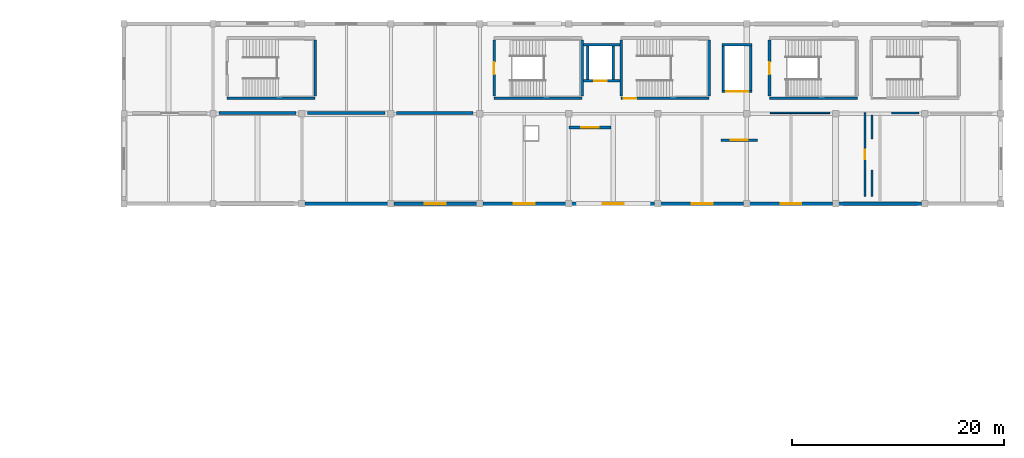
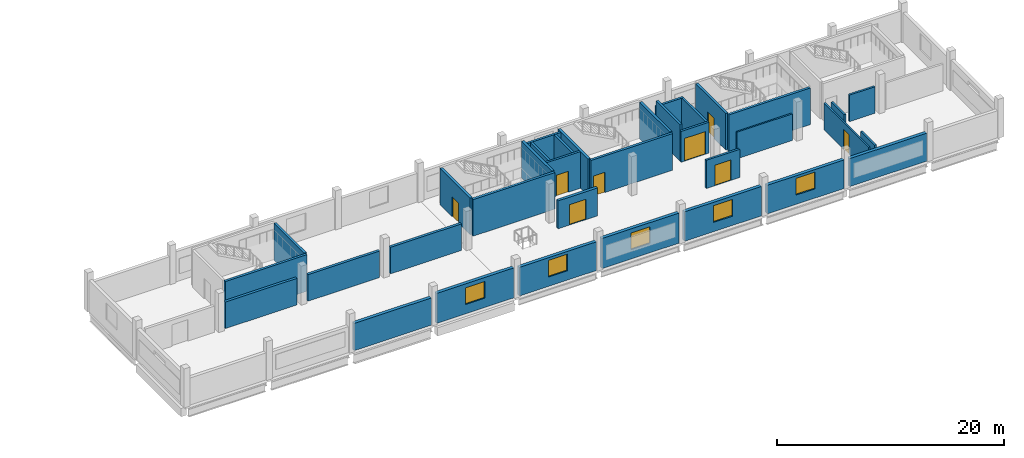
# One storey, part 44 of 52: 35 walls, 8 doors, 5 windows, 13 openings.
"""IFC4 building model written with IfcOpenShell, lengths in metres."""

from ifc_helpers import new_model, si_unit, direction, frame, frame_2d, origin, place, context, subcontext, project, spatial, rectangle, extrude, material, layer, layer_set, type_object, element, fill, save


model = new_model("IFC4")

# Units and contexts
model_context = context("Model", 3, precision=1e-05, world=origin(), true_north=direction((0.0, 1.0)))
body_context = subcontext(model_context, "Body", "Model", "MODEL_VIEW")
ifc_project = project(units=[si_unit("LENGTHUNIT", "METRE"), si_unit("AREAUNIT", "SQUARE_METRE"), si_unit("VOLUMEUNIT", "CUBIC_METRE"), si_unit("PLANEANGLEUNIT", "RADIAN"), si_unit("MASSUNIT", "GRAM", prefix="KILO")], contexts=[model_context])

# Site, building, storey
site_placement = place(None, origin())
site = spatial("IfcSite", under=ifc_project, at=site_placement, CompositionType="ELEMENT")
building_placement = place(site_placement, origin())
building = spatial("IfcBuilding", under=site, at=building_placement, Name="Solvento Point Concert Hall", CompositionType="ELEMENT")
storey_placement = place(building_placement, frame((0.0, 0.0, 19.5)))
storey = spatial("IfcBuildingStorey", under=building, at=storey_placement, Name="L04", CompositionType="ELEMENT", Elevation=19.5)

# Wall
ifc_material_1 = material(Name="Acoustic Double-Stud Gypsum Partition")
ifc_layer_1 = layer(ifc_material_1, 0.159912109375)
ifc_layer_set_1 = layer_set([ifc_layer_1], Name="Acoustic Double-Stud Gypsum Partition")
wall_type_1 = type_object("IfcWallType", Name="AcousticPartition_160", PredefinedType="PARTITIONING", material=ifc_layer_set_1)
wall_1_placement = place(storey_placement, frame((194.219970703125, 127.580078125, 0.0), z_axis=(0.0, 0.0, 1.0), x_axis=(1.0, 0.0, 0.0)))
element("IfcWall", 1, at=wall_1_placement, inside=storey, type_object=wall_type_1, Name="Interior acoustic partition PW-97 L04", PredefinedType="PARTITIONING", context=body_context, shape_type="SweptSolid", body=[
    extrude(rectangle(XDim=5.630126953125, YDim=0.159912109375, at=frame_2d((2.81494140625, 0.0))), origin(), (0.0, 0.0, 1.0), 2.860107421875),
])

# Wall, opening, door
wall_2_placement = place(storey_placement, frame((203.179931640625, 127.580078125, 0.0), z_axis=(0.0, 0.0, 1.0), x_axis=(0.0, -1.0, 0.0)))
wall_2 = element("IfcWall", 2, at=wall_2_placement, inside=storey, type_object=wall_type_1, Name="Interior acoustic partition PW-97 L04", PredefinedType="PARTITIONING", context=body_context, shape_type="SweptSolid", body=[
    extrude(rectangle(XDim=7.880126953125, YDim=0.159912109375, at=frame_2d((3.93994140625, 0.0))), origin(), (0.0, 0.0, 1.0), 2.860107421875),
])
opening_1_placement = place(wall_2_placement, frame((3.47998046875, 0.0, 0.0)))
opening_1 = element("IfcOpeningElement", 3, at=opening_1_placement, cuts=wall_2, Name="Opening DR-46", PredefinedType="OPENING", context=body_context, shape_type="SweptSolid", body=[
    extrude(rectangle(XDim=0.919921875, YDim=2.1201171875, at=frame_2d((0.4599609375, 1.06005859375))), frame((0.0, 0.08984375, 0.0), z_axis=(0.0, -1.0, 0.0), x_axis=(1.0, 0.0, 0.0)), (0.0, 0.0, 1.0), 0.179931640625),
])
ifc_material_2 = material(Name="Brazilian Hardwood Acoustic Door", Category="wood")
door_type_1 = type_object("IfcDoorType", Name="IntDoor_AccessibleWC", OperationType="NOTDEFINED", PredefinedType="DOOR", material=ifc_material_2)
door_1_placement = place(opening_1_placement, origin())
door_1 = element("IfcDoor", 4, at=door_1_placement, inside=storey, type_object=door_type_1, Name="Interior door DR-46 L04", OperationType="SINGLE_SWING_LEFT", OverallHeight=2.1201171875, OverallWidth=0.919921875, PredefinedType="DOOR", context=body_context, shape_type="SweptSolid", body=[
    extrude(rectangle(XDim=0.919921875, YDim=2.1201171875, at=frame_2d((0.4599609375, 1.06005859375))), frame((0.0, 0.02490234375, 0.0), z_axis=(0.0, -1.0, 0.0), x_axis=(1.0, 0.0, 0.0)), (0.0, 0.0, 1.0), 0.050048828125),
])
fill(opening_1, door_1)

# Walls
ifc_material_3 = material(Name="Acoustic Double-Stud Gypsum Partition")
ifc_layer_2 = layer(ifc_material_3, 0.199951171875)
ifc_layer_set_2 = layer_set([ifc_layer_2], Name="Acoustic Double-Stud Gypsum Partition")
wall_type_2 = type_object("IfcWallType", Name="AcousticPartition_200", PredefinedType="PARTITIONING", material=ifc_layer_set_2)
wall_3_placement = place(storey_placement, frame((205.662109375, 127.580078125, 0.0), z_axis=(0.0, 0.0, 1.0), x_axis=(1.0, 0.0, 0.0)))
element("IfcWall", 5, at=wall_3_placement, inside=storey, type_object=wall_type_2, Name="Interior acoustic partition PW-84 L04", PredefinedType="PARTITIONING", context=body_context, shape_type="SweptSolid", body=[
    extrude(rectangle(XDim=2.587890625, YDim=0.199951171875, at=frame_2d((1.2939453125, 0.0))), origin(), (0.0, 0.0, 1.0), 2.860107421875),
])
wall_4_placement = place(storey_placement, frame((203.820068359375, 119.699951171875, 0.0), z_axis=(0.0, 0.0, 1.0), x_axis=(0.0, 1.0, 0.0)))
element("IfcWall", 6, at=wall_4_placement, inside=storey, type_object=wall_type_2, Name="Interior acoustic partition PW-84 L04", PredefinedType="PARTITIONING", context=body_context, shape_type="SweptSolid", body=[
    extrude(rectangle(XDim=2.474853515625, YDim=0.199951171875, at=frame_2d((1.2373046875, 0.0))), origin(), (0.0, 0.0, 1.0), 2.860107421875),
])
wall_5_placement = place(storey_placement, frame((203.820068359375, 125.10498046875, 0.0), z_axis=(0.0, 0.0, 1.0), x_axis=(0.0, 1.0, 0.0)))
element("IfcWall", 7, at=wall_5_placement, inside=storey, type_object=wall_type_2, Name="Interior acoustic partition PW-84 L04", PredefinedType="PARTITIONING", context=body_context, shape_type="SweptSolid", body=[
    extrude(rectangle(XDim=2.2685546875, YDim=0.199951171875, at=frame_2d((1.13427734375, 0.0))), origin(), (0.0, 0.0, 1.0), 2.860107421875),
])

# Wall, opening, door
ifc_material_4 = material(Name="Acoustic Double-Stud Gypsum Partition")
ifc_layer_3 = layer(ifc_material_4, 0.2080078125)
ifc_layer_set_3 = layer_set([ifc_layer_3], Name="Acoustic Double-Stud Gypsum Partition")
wall_type_3 = type_object("IfcWallType", Name="AcousticPartition_208", PredefinedType="PARTITIONING", material=ifc_layer_set_3)
wall_6_placement = place(storey_placement, frame((189.60009765625, 125.0, 0.0), z_axis=(0.0, 0.0, 1.0), x_axis=(1.0, 0.0, 0.0)))
wall_6 = element("IfcWall", 8, at=wall_6_placement, inside=storey, type_object=wall_type_3, Name="Lift lobby partition LG-02 L04", PredefinedType="PARTITIONING", context=body_context, shape_type="SweptSolid", body=[
    extrude(rectangle(XDim=3.39990234375, YDim=0.2080078125, at=frame_2d((1.699951171875, 0.0))), origin(), (0.0, 0.0, 1.0), 3.033935546875),
])
opening_2_placement = place(wall_6_placement, frame((0.875, 0.0, 0.0)))
opening_2 = element("IfcOpeningElement", 9, at=opening_2_placement, cuts=wall_6, Name="Opening D-FL1", PredefinedType="OPENING", context=body_context, shape_type="SweptSolid", body=[
    extrude(rectangle(XDim=1.64990234375, YDim=2.199951171875, at=frame_2d((0.824951171875, 1.10009765625))), frame((0.0, 0.114013671875, 0.0), z_axis=(0.0, -1.0, 0.0), x_axis=(1.0, 0.0, 0.0)), (0.0, 0.0, 1.0), 0.22802734375),
])
ifc_material_5 = material(Name="Hollow Metal Acoustic Fire Door")
door_type_2 = type_object("IfcDoorType", Name="FireLobbyDoor_1600", OperationType="DOUBLE_DOOR_SINGLE_SWING", PredefinedType="DOOR", material=ifc_material_5)
door_2_placement = place(opening_2_placement, origin())
door_2 = element("IfcDoor", 10, at=door_2_placement, inside=storey, type_object=door_type_2, Name="Lift lobby door LG-02 L04", OperationType="DOUBLE_DOOR_SINGLE_SWING", OverallHeight=2.199951171875, OverallWidth=1.64990234375, PredefinedType="DOOR", context=body_context, shape_type="SweptSolid", body=[
    extrude(rectangle(XDim=1.64990234375, YDim=2.199951171875, at=frame_2d((0.824951171875, 1.10009765625))), frame((0.0, 0.02490234375, 0.0), z_axis=(0.0, -1.0, 0.0), x_axis=(1.0, 0.0, 0.0)), (0.0, 0.0, 1.0), 0.050048828125),
])
fill(opening_2, door_2)

# Walls
ifc_material_6 = material(Name="Acoustic Double-Stud Gypsum Partition")
ifc_layer_4 = layer(ifc_material_6, 0.264892578125)
ifc_layer_set_4 = layer_set([ifc_layer_4], Name="Acoustic Double-Stud Gypsum Partition")
wall_type_4 = type_object("IfcWallType", Name="AcousticPartition_265", PredefinedType="PARTITIONING", material=ifc_layer_set_4)
for number, where, z_axis, x_axis, name in (
    (11, (142.14990234375, 127.580078125, 0.0), (0.0, 0.0, 1.0), (1.0, 0.0, 0.0), "Interior acoustic partition PW-68 L04"),
    (12, (150.550048828125, 127.580078125, 0.0), (0.0, 0.0, 1.0), (1.0, 0.0, 0.0), "Interior acoustic partition PW-68 L04"),
):
    element("IfcWall", number, at=place(storey_placement, frame(where, z_axis=z_axis, x_axis=x_axis)), inside=storey, type_object=wall_type_4, Name=name, PredefinedType="PARTITIONING", context=body_context, shape_type="SweptSolid", body=[
        extrude(rectangle(XDim=7.300048828125, YDim=0.264892578125, at=frame_2d((3.64990234375, 0.0))), origin(), (0.0, 0.0, 1.0), 2.860107421875),
    ])
wall_7_placement = place(storey_placement, frame((158.949951171875, 127.580078125, 0.0), z_axis=(0.0, 0.0, 1.0), x_axis=(1.0, 0.0, 0.0)))
element("IfcWall", 13, at=wall_7_placement, inside=storey, type_object=wall_type_4, Name="Interior acoustic partition PW-68 L04", PredefinedType="PARTITIONING", context=body_context, shape_type="SweptSolid", body=[
    extrude(rectangle(XDim=7.22998046875, YDim=0.264892578125, at=frame_2d((3.614990234375, 0.0))), origin(), (0.0, 0.0, 1.0), 2.860107421875),
])
ifc_material_7 = material(Name="Concrete C40/50", Category="concrete")
ifc_layer_5 = layer(ifc_material_7, 0.300048828125)
ifc_layer_set_5 = layer_set([ifc_layer_5], Name="Concrete C40/50")
wall_type_5 = type_object("IfcWallType", Name="CoreShearWall_300", PredefinedType="SHEAR", material=ifc_layer_set_5)
wall_8_placement = place(storey_placement, frame((176.449951171875, 128.949951171875, 0.0), z_axis=(0.0, 0.0, 1.0), x_axis=(-1.0, 0.0, 0.0)))
element("IfcWall", 14, at=wall_8_placement, inside=storey, type_object=wall_type_5, Name="Stair core shear wall W-SH1 ST-01 L04", PredefinedType="SHEAR", context=body_context, shape_type="SweptSolid", body=[
    extrude(rectangle(XDim=8.300048828125, YDim=0.25, at=frame_2d((4.14990234375, 0.0))), origin(), (0.0, 0.0, 1.0), 3.93994140625),
])

# Wall, opening, door
wall_9_placement = place(storey_placement, frame((168.14990234375, 129.14990234375, 0.0), z_axis=(0.0, 0.0, 1.0), x_axis=(0.0, 1.0, 0.0)))
wall_9 = element("IfcWall", 15, at=wall_9_placement, inside=storey, type_object=wall_type_5, Name="Stair core shear wall W-SH1 ST-01 L04", PredefinedType="SHEAR", context=body_context, shape_type="SweptSolid", body=[
    extrude(rectangle(XDim=5.300048828125, YDim=0.25, at=frame_2d((2.64990234375, 0.0))), origin(), (0.0, 0.0, 1.0), 3.93994140625),
])
opening_3_placement = place(wall_9_placement, frame((2.074951171875, 0.0, 0.0)))
opening_3 = element("IfcOpeningElement", 16, at=opening_3_placement, cuts=wall_9, Name="Opening D-ST1", PredefinedType="OPENING", context=body_context, shape_type="SweptSolid", body=[
    extrude(rectangle(XDim=1.14990234375, YDim=2.179931640625, at=frame_2d((0.574951171875, 1.08984375))), frame((0.0, 0.135009765625, 0.0), z_axis=(0.0, -1.0, 0.0), x_axis=(1.0, 0.0, 0.0)), (0.0, 0.0, 1.0), 0.27001953125),
])
ifc_material_8 = material(Name="Hollow Metal Acoustic Fire Door")
door_type_3 = type_object("IfcDoorType", Name="StairFireDoor_1150", OperationType="NOTDEFINED", PredefinedType="DOOR", material=ifc_material_8)
door_3_placement = place(opening_3_placement, origin())
door_3 = element("IfcDoor", 17, at=door_3_placement, inside=storey, type_object=door_type_3, Name="Protected exit stair door ST-01 L04", OperationType="SINGLE_SWING_RIGHT", OverallHeight=2.179931640625, OverallWidth=1.14990234375, PredefinedType="DOOR", context=body_context, shape_type="SweptSolid", body=[
    extrude(rectangle(XDim=1.14990234375, YDim=2.179931640625, at=frame_2d((0.574951171875, 1.08984375))), frame((0.0, 0.02490234375, 0.0), z_axis=(0.0, -1.0, 0.0), x_axis=(1.0, 0.0, 0.0)), (0.0, 0.0, 1.0), 0.050048828125),
])
fill(opening_3, door_3)

# Walls
wall_10_placement = place(storey_placement, frame((176.449951171875, 134.449951171875, 0.0), z_axis=(0.0, 0.0, 1.0), x_axis=(0.0, -1.0, 0.0)))
element("IfcWall", 18, at=wall_10_placement, inside=storey, type_object=wall_type_5, Name="Stair core shear wall W-SH1 ST-01 L04", PredefinedType="SHEAR", context=body_context, shape_type="SweptSolid", body=[
    extrude(rectangle(XDim=5.300048828125, YDim=0.25, at=frame_2d((2.64990234375, 0.0))), origin(), (0.0, 0.0, 1.0), 3.93994140625),
])
wall_11_placement = place(storey_placement, frame((202.449951171875, 128.949951171875, 0.0), z_axis=(0.0, 0.0, 1.0), x_axis=(-1.0, 0.0, 0.0)))
element("IfcWall", 19, at=wall_11_placement, inside=storey, type_object=wall_type_5, Name="Stair core shear wall W-SH1 ST-02 L04", PredefinedType="SHEAR", context=body_context, shape_type="SweptSolid", body=[
    extrude(rectangle(XDim=8.300048828125, YDim=0.25, at=frame_2d((4.14990234375, 0.0))), origin(), (0.0, 0.0, 1.0), 3.93994140625),
])

# Wall, opening, door
wall_12_placement = place(storey_placement, frame((194.14990234375, 129.14990234375, 0.0), z_axis=(0.0, 0.0, 1.0), x_axis=(0.0, 1.0, 0.0)))
wall_12 = element("IfcWall", 20, at=wall_12_placement, inside=storey, type_object=wall_type_5, Name="Stair core shear wall W-SH1 ST-02 L04", PredefinedType="SHEAR", context=body_context, shape_type="SweptSolid", body=[
    extrude(rectangle(XDim=5.300048828125, YDim=0.25, at=frame_2d((2.64990234375, 0.0))), origin(), (0.0, 0.0, 1.0), 3.93994140625),
])
opening_4_placement = place(wall_12_placement, frame((2.074951171875, 0.0, 0.0)))
opening_4 = element("IfcOpeningElement", 21, at=opening_4_placement, cuts=wall_12, Name="Opening D-ST1", PredefinedType="OPENING", context=body_context, shape_type="SweptSolid", body=[
    extrude(rectangle(XDim=1.14990234375, YDim=2.179931640625, at=frame_2d((0.574951171875, 1.08984375))), frame((0.0, 0.135009765625, 0.0), z_axis=(0.0, -1.0, 0.0), x_axis=(1.0, 0.0, 0.0)), (0.0, 0.0, 1.0), 0.27001953125),
])
door_4_placement = place(opening_4_placement, origin())
door_4 = element("IfcDoor", 22, at=door_4_placement, inside=storey, type_object=door_type_3, Name="Protected exit stair door ST-02 L04", OperationType="SINGLE_SWING_LEFT", OverallHeight=2.179931640625, OverallWidth=1.14990234375, PredefinedType="DOOR", context=body_context, shape_type="SweptSolid", body=[
    extrude(rectangle(XDim=1.14990234375, YDim=2.179931640625, at=frame_2d((0.574951171875, 1.08984375))), frame((0.0, 0.02490234375, 0.0), z_axis=(0.0, -1.0, 0.0), x_axis=(1.0, 0.0, 0.0)), (0.0, 0.0, 1.0), 0.050048828125),
])
fill(opening_4, door_4)

wall_13_placement = place(storey_placement, frame((188.449951171875, 128.949951171875, 0.0), z_axis=(0.0, 0.0, 1.0), x_axis=(-1.0, 0.0, 0.0)))
wall_13 = element("IfcWall", 23, at=wall_13_placement, inside=storey, type_object=wall_type_5, Name="Stair core shear wall W-SH1 ST-10 L04", PredefinedType="SHEAR", context=body_context, shape_type="SweptSolid", body=[
    extrude(rectangle(XDim=8.300048828125, YDim=0.25, at=frame_2d((4.14990234375, 0.0))), origin(), (0.0, 0.0, 1.0), 3.93994140625),
])
opening_5_placement = place(wall_13_placement, frame((6.89990234375, 0.0, 0.0)))
opening_5 = element("IfcOpeningElement", 24, at=opening_5_placement, cuts=wall_13, Name="Opening D-ST1", PredefinedType="OPENING", context=body_context, shape_type="SweptSolid", body=[
    extrude(rectangle(XDim=1.14990234375, YDim=2.179931640625, at=frame_2d((0.574951171875, 1.08984375))), frame((0.0, 0.135009765625, 0.0), z_axis=(0.0, -1.0, 0.0), x_axis=(1.0, 0.0, 0.0)), (0.0, 0.0, 1.0), 0.27001953125),
])
door_5_placement = place(opening_5_placement, origin())
door_5 = element("IfcDoor", 25, at=door_5_placement, inside=storey, type_object=door_type_3, Name="Protected exit stair door ST-10 L04", OperationType="SINGLE_SWING_RIGHT", OverallHeight=2.179931640625, OverallWidth=1.14990234375, PredefinedType="DOOR", context=body_context, shape_type="SweptSolid", body=[
    extrude(rectangle(XDim=1.14990234375, YDim=2.179931640625, at=frame_2d((0.574951171875, 1.08984375))), frame((0.0, 0.02490234375, 0.0), z_axis=(0.0, -1.0, 0.0), x_axis=(1.0, 0.0, 0.0)), (0.0, 0.0, 1.0), 0.050048828125),
])
fill(opening_5, door_5)

# Walls
for number, where, z_axis, x_axis, name in (
    (26, (180.14990234375, 129.14990234375, 0.0), (0.0, 0.0, 1.0), (0.0, 1.0, 0.0), "Stair core shear wall W-SH1 ST-10 L04"),
    (27, (188.449951171875, 134.449951171875, 0.0), (0.0, 0.0, 1.0), (0.0, -1.0, 0.0), "Stair core shear wall W-SH1 ST-10 L04"),
):
    element("IfcWall", number, at=place(storey_placement, frame(where, z_axis=z_axis, x_axis=x_axis)), inside=storey, type_object=wall_type_5, Name=name, PredefinedType="SHEAR", context=body_context, shape_type="SweptSolid", body=[
        extrude(rectangle(XDim=5.300048828125, YDim=0.25, at=frame_2d((2.64990234375, 0.0))), origin(), (0.0, 0.0, 1.0), 3.93994140625),
    ])
wall_14_placement = place(storey_placement, frame((151.25, 128.949951171875, 0.0), z_axis=(0.0, 0.0, 1.0), x_axis=(-1.0, 0.0, 0.0)))
element("IfcWall", 28, at=wall_14_placement, inside=storey, type_object=wall_type_5, Name="Stair core shear wall W-SH1 ST-12 L04", PredefinedType="SHEAR", context=body_context, shape_type="SweptSolid", body=[
    extrude(rectangle(XDim=8.300048828125, YDim=0.25, at=frame_2d((4.14990234375, 0.0))), origin(), (0.0, 0.0, 1.0), 3.93994140625),
])
wall_15_placement = place(storey_placement, frame((151.25, 134.449951171875, 0.0), z_axis=(0.0, 0.0, 1.0), x_axis=(0.0, -1.0, 0.0)))
element("IfcWall", 29, at=wall_15_placement, inside=storey, type_object=wall_type_5, Name="Stair core shear wall W-SH1 ST-12 L04", PredefinedType="SHEAR", context=body_context, shape_type="SweptSolid", body=[
    extrude(rectangle(XDim=5.300048828125, YDim=0.25, at=frame_2d((2.64990234375, 0.0))), origin(), (0.0, 0.0, 1.0), 3.93994140625),
])

# Wall, opening, door
wall_16_placement = place(storey_placement, frame((176.574951171875, 130.60009765625, 0.0), z_axis=(0.0, 0.0, 1.0), x_axis=(1.0, 0.0, 0.0)))
wall_16 = element("IfcWall", 30, at=wall_16_placement, inside=storey, type_object=wall_type_5, Name="Elevator shaft shear wall W-SH1 LF-01 L04", PredefinedType="SHEAR", context=body_context, shape_type="SweptSolid", body=[
    extrude(rectangle(XDim=3.449951171875, YDim=0.219970703125, at=frame_2d((1.72509765625, 0.0))), origin(), (0.0, 0.0, 1.0), 3.93994140625),
])
opening_6_placement = place(wall_16_placement, frame((1.02490234375, 0.0, 0.0)))
opening_6 = element("IfcOpeningElement", 31, at=opening_6_placement, cuts=wall_16, Name="Opening LD-01", PredefinedType="OPENING", context=body_context, shape_type="SweptSolid", body=[
    extrude(rectangle(XDim=1.199951171875, YDim=2.25, at=frame_2d((0.60009765625, 1.125))), frame((0.0, 0.119873046875, 0.0), z_axis=(0.0, -1.0, 0.0), x_axis=(1.0, 0.0, 0.0)), (0.0, 0.0, 1.0), 0.239990234375),
])
ifc_material_9 = material(Name="Hollow Metal Acoustic Fire Door")
door_type_4 = type_object("IfcDoorType", Name="LiftLandingDoor_FF", OperationType="SLIDING_TO_LEFT", PredefinedType="DOOR", material=ifc_material_9)
door_6_placement = place(opening_6_placement, origin())
door_6 = element("IfcDoor", 32, at=door_6_placement, inside=storey, type_object=door_type_4, Name="Elevator landing door LF-01 L04", OperationType="SLIDING_TO_LEFT", OverallHeight=2.25, OverallWidth=1.199951171875, PredefinedType="DOOR", context=body_context, shape_type="SweptSolid", body=[
    extrude(rectangle(XDim=1.199951171875, YDim=2.25, at=frame_2d((0.60009765625, 1.125))), frame((0.0, 0.02490234375, 0.0), z_axis=(0.0, -1.0, 0.0), x_axis=(1.0, 0.0, 0.0)), (0.0, 0.0, 1.0), 0.050048828125),
])
fill(opening_6, door_6)

# Walls
wall_17_placement = place(storey_placement, frame((176.574951171875, 134.0, 0.0), z_axis=(0.0, 0.0, 1.0), x_axis=(1.0, 0.0, 0.0)))
element("IfcWall", 33, at=wall_17_placement, inside=storey, type_object=wall_type_5, Name="Elevator shaft shear wall W-SH1 LF-01 L04", PredefinedType="SHEAR", context=body_context, shape_type="SweptSolid", body=[
    extrude(rectangle(XDim=3.449951171875, YDim=0.219970703125, at=frame_2d((1.72509765625, 0.0))), origin(), (0.0, 0.0, 1.0), 3.93994140625),
])
for number, where, z_axis, x_axis, name in (
    (34, (177.0, 130.7099609375, 0.0), (0.0, 0.0, 1.0), (0.0, 1.0, 0.0), "Elevator shaft shear wall W-SH1 LF-01 L04"),
    (35, (179.39990234375, 130.7099609375, 0.0), (0.0, 0.0, 1.0), (0.0, 1.0, 0.0), "Elevator shaft shear wall W-SH1 LF-01 L04"),
):
    element("IfcWall", number, at=place(storey_placement, frame(where, z_axis=z_axis, x_axis=x_axis)), inside=storey, type_object=wall_type_5, Name=name, PredefinedType="SHEAR", context=body_context, shape_type="SweptSolid", body=[
        extrude(rectangle(XDim=3.179931640625, YDim=0.219970703125, at=frame_2d((1.58984375, 0.0))), origin(), (0.0, 0.0, 1.0), 3.93994140625),
    ])

# Wall, opening, door
wall_18_placement = place(storey_placement, frame((189.68994140625, 129.60009765625, 0.0), z_axis=(0.0, 0.0, 1.0), x_axis=(1.0, 0.0, 0.0)))
wall_18 = element("IfcWall", 36, at=wall_18_placement, inside=storey, type_object=wall_type_5, Name="Elevator shaft shear wall W-SH1 LG-02 L04", PredefinedType="SHEAR", context=body_context, shape_type="SweptSolid", body=[
    extrude(rectangle(XDim=2.820068359375, YDim=0.219970703125, at=frame_2d((1.41015625, 0.0))), origin(), (0.0, 0.0, 1.0), 3.325927734375),
])
opening_7_placement = place(wall_18_placement, frame((0.360107421875, 0.0, 0.0)))
opening_7 = element("IfcOpeningElement", 37, at=opening_7_placement, cuts=wall_18, Name="Opening LD-03", PredefinedType="OPENING", context=body_context, shape_type="SweptSolid", body=[
    extrude(rectangle(XDim=2.10009765625, YDim=2.449951171875, at=frame_2d((1.050048828125, 1.22509765625))), frame((0.0, 0.119873046875, 0.0), z_axis=(0.0, -1.0, 0.0), x_axis=(1.0, 0.0, 0.0)), (0.0, 0.0, 1.0), 0.239990234375),
])
ifc_material_10 = material(Name="Hollow Metal Acoustic Fire Door")
door_type_5 = type_object("IfcDoorType", Name="LiftLandingDoor_Goods", OperationType="DOUBLE_DOOR_SLIDING", PredefinedType="DOOR", material=ifc_material_10)
door_7_placement = place(opening_7_placement, origin())
door_7 = element("IfcDoor", 38, at=door_7_placement, inside=storey, type_object=door_type_5, Name="Elevator landing door LG-02 L04", OperationType="DOUBLE_DOOR_SLIDING", OverallHeight=2.449951171875, OverallWidth=2.10009765625, PredefinedType="DOOR", context=body_context, shape_type="SweptSolid", body=[
    extrude(rectangle(XDim=2.10009765625, YDim=2.449951171875, at=frame_2d((1.050048828125, 1.22509765625))), frame((0.0, 0.02490234375, 0.0), z_axis=(0.0, -1.0, 0.0), x_axis=(1.0, 0.0, 0.0)), (0.0, 0.0, 1.0), 0.050048828125),
])
fill(opening_7, door_7)

# Walls
wall_19_placement = place(storey_placement, frame((189.68994140625, 134.0, 0.0), z_axis=(0.0, 0.0, 1.0), x_axis=(1.0, 0.0, 0.0)))
element("IfcWall", 39, at=wall_19_placement, inside=storey, type_object=wall_type_5, Name="Elevator shaft shear wall W-SH1 LG-02 L04", PredefinedType="SHEAR", context=body_context, shape_type="SweptSolid", body=[
    extrude(rectangle(XDim=2.820068359375, YDim=0.219970703125, at=frame_2d((1.41015625, 0.0))), origin(), (0.0, 0.0, 1.0), 3.325927734375),
])
wall_20_placement = place(storey_placement, frame((189.800048828125, 129.7099609375, 0.0), z_axis=(0.0, 0.0, 1.0), x_axis=(0.0, 1.0, 0.0)))
element("IfcWall", 40, at=wall_20_placement, inside=storey, type_object=wall_type_5, Name="Elevator shaft shear wall W-SH1 LG-02 L04", PredefinedType="SHEAR", context=body_context, shape_type="SweptSolid", body=[
    extrude(rectangle(XDim=4.179931640625, YDim=0.219970703125, at=frame_2d((2.08984375, 0.0))), origin(), (0.0, 0.0, 1.0), 3.93994140625),
])
wall_21_placement = place(storey_placement, frame((192.39990234375, 129.7099609375, 0.0), z_axis=(0.0, 0.0, 1.0), x_axis=(0.0, 1.0, 0.0)))
element("IfcWall", 41, at=wall_21_placement, inside=storey, type_object=wall_type_5, Name="Elevator shaft shear wall W-SH1 LG-02 L04", PredefinedType="SHEAR", context=body_context, shape_type="SweptSolid", body=[
    extrude(rectangle(XDim=4.179931640625, YDim=0.219970703125, at=frame_2d((2.08984375, 0.0))), origin(), (0.0, 0.0, 1.0), 3.325927734375),
])

# Wall, opening, door
ifc_material_11 = material(Name="Concrete C40/50", Category="concrete")
ifc_layer_6 = layer(ifc_material_11, 0.35009765625)
ifc_layer_set_6 = layer_set([ifc_layer_6], Name="Concrete C40/50")
wall_type_6 = type_object("IfcWallType", Name="CoreShearWall_350", PredefinedType="SHEAR", material=ifc_layer_set_6)
wall_22_placement = place(storey_placement, frame((175.199951171875, 126.199951171875, 0.0), z_axis=(0.0, 0.0, 1.0), x_axis=(1.0, 0.0, 0.0)))
wall_22 = element("IfcWall", 42, at=wall_22_placement, inside=storey, type_object=wall_type_6, Name="Firefighting lift lobby wall LF-01 L04", PredefinedType="SHEAR", context=body_context, shape_type="SweptSolid", body=[
    extrude(rectangle(XDim=4.0, YDim=0.280029296875, at=frame_2d((2.0, 0.0))), origin(), (0.0, 0.0, 1.0), 3.007080078125),
])
opening_8_placement = place(wall_22_placement, frame((1.175048828125, 0.0, 0.0)))
opening_8 = element("IfcOpeningElement", 43, at=opening_8_placement, cuts=wall_22, Name="Opening D-FL1", PredefinedType="OPENING", context=body_context, shape_type="SweptSolid", body=[
    extrude(rectangle(XDim=1.64990234375, YDim=2.199951171875, at=frame_2d((0.824951171875, 1.10009765625))), frame((0.0, 0.14990234375, 0.0), z_axis=(0.0, -1.0, 0.0), x_axis=(1.0, 0.0, 0.0)), (0.0, 0.0, 1.0), 0.300048828125),
])
door_8_placement = place(opening_8_placement, origin())
door_8 = element("IfcDoor", 44, at=door_8_placement, inside=storey, type_object=door_type_2, Name="Firefighting lobby door LF-01 L04", OperationType="DOUBLE_DOOR_SINGLE_SWING", OverallHeight=2.199951171875, OverallWidth=1.64990234375, PredefinedType="DOOR", context=body_context, shape_type="SweptSolid", body=[
    extrude(rectangle(XDim=1.64990234375, YDim=2.199951171875, at=frame_2d((0.824951171875, 1.10009765625))), frame((0.0, 0.02490234375, 0.0), z_axis=(0.0, -1.0, 0.0), x_axis=(1.0, 0.0, 0.0)), (0.0, 0.0, 1.0), 0.050048828125),
])
fill(opening_8, door_8)

# Wall, opening, window
ifc_material_12 = material(Name="Concrete C35/45", Category="concrete")
ifc_layer_7 = layer(ifc_material_12, 0.330078125)
ifc_layer_set_7 = layer_set([ifc_layer_7], Name="Concrete C35/45")
wall_type_7 = type_object("IfcWallType", Name="ExtWall_V5_Plinth_330", PredefinedType="SOLIDWALL", material=ifc_layer_set_7)
wall_23_placement = place(storey_placement, frame((174.919921875, 119.0, 0.0), z_axis=(0.0, 0.0, 1.0), x_axis=(-1.0, 0.0, 0.0)))
wall_23 = element("IfcWall", 45, at=wall_23_placement, inside=storey, type_object=wall_type_7, Name="Exterior architectural concrete wall EW-72 L04", PredefinedType="SOLIDWALL", context=body_context, shape_type="SweptSolid", body=[
    extrude(rectangle(XDim=7.83984375, YDim=0.330078125, at=frame_2d((3.919921875, 0.0))), origin(), (0.0, 0.0, 1.0), 3.083984375),
])
opening_9_placement = place(wall_23_placement, frame((2.945068359375, 0.0, 1.0)))
opening_9 = element("IfcOpeningElement", 46, at=opening_9_placement, cuts=wall_23, Name="Opening WN-59", PredefinedType="OPENING", context=body_context, shape_type="SweptSolid", body=[
    extrude(rectangle(XDim=1.949951171875, YDim=1.800048828125, at=frame_2d((0.97509765625, 0.89990234375))), frame((0.0, 0.175048828125, 0.0), z_axis=(0.0, -1.0, 0.0), x_axis=(1.0, 0.0, 0.0)), (0.0, 0.0, 1.0), 0.35009765625),
])
ifc_material_13 = material(Name="Hurricane Laminated Low-E Glass", Category="glass")
window_type = type_object("IfcWindowType", Name="Win_V5_Faculty_L04", PartitioningType="SINGLE_PANEL", PredefinedType="WINDOW", material=ifc_material_13)
window_1_placement = place(opening_9_placement, origin())
window_1 = element("IfcWindow", 47, at=window_1_placement, inside=storey, type_object=window_type, Name="Impact acoustic window WN-59", OverallHeight=1.800048828125, OverallWidth=1.949951171875, PartitioningType="SINGLE_PANEL", PredefinedType="WINDOW", context=body_context, shape_type="SweptSolid", body=[
    extrude(rectangle(XDim=1.949951171875, YDim=1.800048828125, at=frame_2d((0.97509765625, 0.89990234375))), frame((0.0, 0.030029296875, 0.0), z_axis=(0.0, -1.0, 0.0), x_axis=(1.0, 0.0, 0.0)), (0.0, 0.0, 1.0), 0.06005859375),
])
fill(opening_9, window_1)

wall_24_placement = place(storey_placement, frame((183.320068359375, 119.0, 0.0), z_axis=(0.0, 0.0, 1.0), x_axis=(-1.0, 0.0, 0.0)))
wall_24 = element("IfcWall", 48, at=wall_24_placement, inside=storey, type_object=wall_type_7, Name="Exterior architectural concrete wall EW-72 L04", PredefinedType="SOLIDWALL", context=body_context, shape_type="SweptSolid", body=[
    extrude(rectangle(XDim=7.840087890625, YDim=0.330078125, at=frame_2d((3.919921875, 0.0))), origin(), (0.0, 0.0, 1.0), 3.240966796875),
])
opening_10_placement = place(wall_24_placement, frame((2.945068359375, 0.0, 1.0)))
opening_10 = element("IfcOpeningElement", 49, at=opening_10_placement, cuts=wall_24, Name="Opening WN-59", PredefinedType="OPENING", context=body_context, shape_type="SweptSolid", body=[
    extrude(rectangle(XDim=1.949951171875, YDim=1.800048828125, at=frame_2d((0.97509765625, 0.89990234375))), frame((0.0, 0.175048828125, 0.0), z_axis=(0.0, -1.0, 0.0), x_axis=(1.0, 0.0, 0.0)), (0.0, 0.0, 1.0), 0.35009765625),
])
window_2_placement = place(opening_10_placement, origin())
window_2 = element("IfcWindow", 50, at=window_2_placement, inside=storey, type_object=window_type, Name="Impact acoustic window WN-59", OverallHeight=1.800048828125, OverallWidth=1.949951171875, PartitioningType="SINGLE_PANEL", PredefinedType="WINDOW", context=body_context, shape_type="SweptSolid", body=[
    extrude(rectangle(XDim=1.949951171875, YDim=1.800048828125, at=frame_2d((0.97509765625, 0.89990234375))), frame((0.0, 0.030029296875, 0.0), z_axis=(0.0, -1.0, 0.0), x_axis=(1.0, 0.0, 0.0)), (0.0, 0.0, 1.0), 0.06005859375),
])
fill(opening_10, window_2)

wall_25_placement = place(storey_placement, frame((191.719970703125, 119.0, 0.0), z_axis=(0.0, 0.0, 1.0), x_axis=(-1.0, 0.0, 0.0)))
wall_25 = element("IfcWall", 51, at=wall_25_placement, inside=storey, type_object=wall_type_7, Name="Exterior architectural concrete wall EW-72 L04", PredefinedType="SOLIDWALL", context=body_context, shape_type="SweptSolid", body=[
    extrude(rectangle(XDim=7.840087890625, YDim=0.330078125, at=frame_2d((3.919921875, 0.0))), origin(), (0.0, 0.0, 1.0), 3.1640625),
])
opening_11_placement = place(wall_25_placement, frame((2.945068359375, 0.0, 1.0)))
opening_11 = element("IfcOpeningElement", 52, at=opening_11_placement, cuts=wall_25, Name="Opening WN-59", PredefinedType="OPENING", context=body_context, shape_type="SweptSolid", body=[
    extrude(rectangle(XDim=1.949951171875, YDim=1.800048828125, at=frame_2d((0.97509765625, 0.89990234375))), frame((0.0, 0.175048828125, 0.0), z_axis=(0.0, -1.0, 0.0), x_axis=(1.0, 0.0, 0.0)), (0.0, 0.0, 1.0), 0.35009765625),
])
window_3_placement = place(opening_11_placement, origin())
window_3 = element("IfcWindow", 53, at=window_3_placement, inside=storey, type_object=window_type, Name="Impact acoustic window WN-59", OverallHeight=1.800048828125, OverallWidth=1.949951171875, PartitioningType="SINGLE_PANEL", PredefinedType="WINDOW", context=body_context, shape_type="SweptSolid", body=[
    extrude(rectangle(XDim=1.949951171875, YDim=1.800048828125, at=frame_2d((0.97509765625, 0.89990234375))), frame((0.0, 0.030029296875, 0.0), z_axis=(0.0, -1.0, 0.0), x_axis=(1.0, 0.0, 0.0)), (0.0, 0.0, 1.0), 0.06005859375),
])
fill(opening_11, window_3)

wall_26_placement = place(storey_placement, frame((200.1201171875, 119.0, 0.0), z_axis=(0.0, 0.0, 1.0), x_axis=(-1.0, 0.0, 0.0)))
wall_26 = element("IfcWall", 54, at=wall_26_placement, inside=storey, type_object=wall_type_7, Name="Exterior architectural concrete wall EW-72 L04", PredefinedType="SOLIDWALL", context=body_context, shape_type="SweptSolid", body=[
    extrude(rectangle(XDim=7.840087890625, YDim=0.330078125, at=frame_2d((3.919921875, 0.0))), origin(), (0.0, 0.0, 1.0), 3.074951171875),
])
opening_12_placement = place(wall_26_placement, frame((2.945068359375, 0.0, 1.0)))
opening_12 = element("IfcOpeningElement", 55, at=opening_12_placement, cuts=wall_26, Name="Opening WN-59", PredefinedType="OPENING", context=body_context, shape_type="SweptSolid", body=[
    extrude(rectangle(XDim=1.949951171875, YDim=1.800048828125, at=frame_2d((0.97509765625, 0.89990234375))), frame((0.0, 0.175048828125, 0.0), z_axis=(0.0, -1.0, 0.0), x_axis=(1.0, 0.0, 0.0)), (0.0, 0.0, 1.0), 0.35009765625),
])
window_4_placement = place(opening_12_placement, origin())
window_4 = element("IfcWindow", 56, at=window_4_placement, inside=storey, type_object=window_type, Name="Impact acoustic window WN-59", OverallHeight=1.800048828125, OverallWidth=1.949951171875, PartitioningType="SINGLE_PANEL", PredefinedType="WINDOW", context=body_context, shape_type="SweptSolid", body=[
    extrude(rectangle(XDim=1.949951171875, YDim=1.800048828125, at=frame_2d((0.97509765625, 0.89990234375))), frame((0.0, 0.030029296875, 0.0), z_axis=(0.0, -1.0, 0.0), x_axis=(1.0, 0.0, 0.0)), (0.0, 0.0, 1.0), 0.06005859375),
])
fill(opening_12, window_4)

# Walls
wall_27_placement = place(storey_placement, frame((208.52001953125, 119.0, 0.0), z_axis=(0.0, 0.0, 1.0), x_axis=(-1.0, 0.0, 0.0)))
element("IfcWall", 57, at=wall_27_placement, inside=storey, type_object=wall_type_7, Name="Exterior architectural concrete wall EW-72 L04", PredefinedType="SOLIDWALL", context=body_context, shape_type="SweptSolid", body=[
    extrude(rectangle(XDim=7.840087890625, YDim=0.330078125, at=frame_2d((3.919921875, 0.0))), origin(), (0.0, 0.0, 1.0), 3.007080078125),
])
wall_28_placement = place(storey_placement, frame((158.1201171875, 119.0, 0.0), z_axis=(0.0, 0.0, 1.0), x_axis=(-1.0, 0.0, 0.0)))
element("IfcWall", 58, at=wall_28_placement, inside=storey, type_object=wall_type_7, Name="Exterior architectural concrete wall EW-72 L04", PredefinedType="SOLIDWALL", context=body_context, shape_type="SweptSolid", body=[
    extrude(rectangle(XDim=7.840087890625, YDim=0.330078125, at=frame_2d((3.919921875, 0.0))), origin(), (0.0, 0.0, 1.0), 2.93408203125),
])

# Wall, opening, window
wall_29_placement = place(storey_placement, frame((166.52001953125, 119.0, 0.0), z_axis=(0.0, 0.0, 1.0), x_axis=(-1.0, 0.0, 0.0)))
wall_29 = element("IfcWall", 59, at=wall_29_placement, inside=storey, type_object=wall_type_7, Name="Exterior architectural concrete wall EW-72 L04", PredefinedType="SOLIDWALL", context=body_context, shape_type="SweptSolid", body=[
    extrude(rectangle(XDim=7.840087890625, YDim=0.330078125, at=frame_2d((3.919921875, 0.0))), origin(), (0.0, 0.0, 1.0), 3.22607421875),
])
opening_13_placement = place(wall_29_placement, frame((2.945068359375, 0.0, 1.0)))
opening_13 = element("IfcOpeningElement", 60, at=opening_13_placement, cuts=wall_29, Name="Opening WN-59", PredefinedType="OPENING", context=body_context, shape_type="SweptSolid", body=[
    extrude(rectangle(XDim=1.949951171875, YDim=1.800048828125, at=frame_2d((0.97509765625, 0.89990234375))), frame((0.0, 0.175048828125, 0.0), z_axis=(0.0, -1.0, 0.0), x_axis=(1.0, 0.0, 0.0)), (0.0, 0.0, 1.0), 0.35009765625),
])
window_5_placement = place(opening_13_placement, origin())
window_5 = element("IfcWindow", 61, at=window_5_placement, inside=storey, type_object=window_type, Name="Impact acoustic window WN-59", OverallHeight=1.800048828125, OverallWidth=1.949951171875, PartitioningType="SINGLE_PANEL", PredefinedType="WINDOW", context=body_context, shape_type="SweptSolid", body=[
    extrude(rectangle(XDim=1.949951171875, YDim=1.800048828125, at=frame_2d((0.97509765625, 0.89990234375))), frame((0.0, 0.030029296875, 0.0), z_axis=(0.0, -1.0, 0.0), x_axis=(1.0, 0.0, 0.0)), (0.0, 0.0, 1.0), 0.06005859375),
])
fill(opening_13, window_5)

save(model, "model.ifc")
